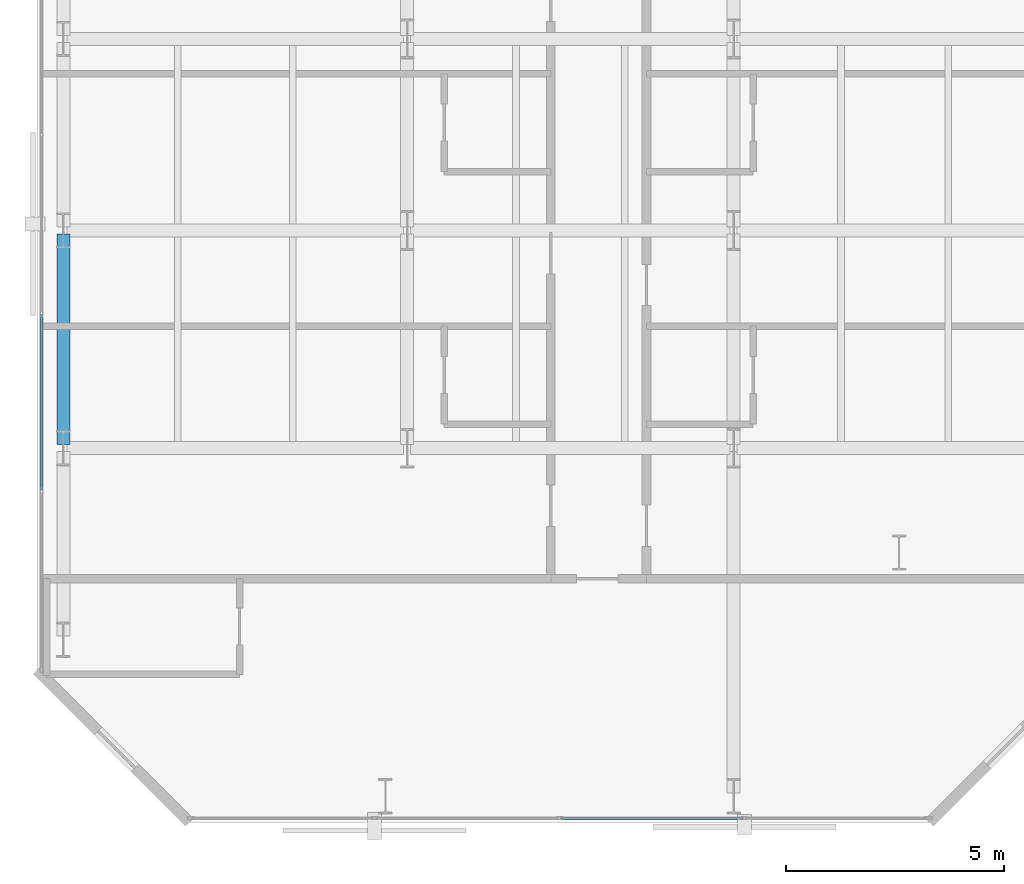
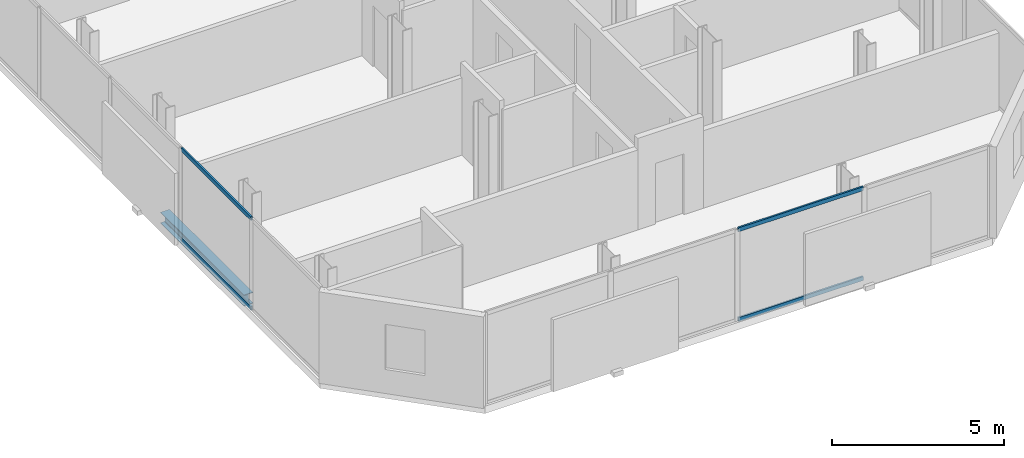
# One storey, part 4 of 33: 4 members, 1 beam, 2 elements without a shape of their own.
"""IFC4 building model written with IfcOpenShell, lengths in metres."""

from ifc_helpers import new_model, si_unit, direction, frame, origin, origin_2d, place, context, subcontext, project, spatial, hollow_rectangle, i_section, extrude, material, layer, layer_set, material_profile, profile_set, type_object, element, aggregate, save


model = new_model("IFC4")

# Units and contexts
model_context = context("Model", 3, precision=1e-05, world=origin(), true_north=direction((0.0, 1.0)))
body_context = subcontext(model_context, "Body", "Model", "MODEL_VIEW")
ifc_project = project(units=[si_unit("LENGTHUNIT", "METRE"), si_unit("AREAUNIT", "SQUARE_METRE"), si_unit("VOLUMEUNIT", "CUBIC_METRE"), si_unit("PLANEANGLEUNIT", "RADIAN"), si_unit("MASSUNIT", "GRAM", prefix="KILO")], contexts=[model_context])

# Site, building, storey
site_placement = place(None, origin())
site = spatial("IfcSite", under=ifc_project, at=site_placement, CompositionType="ELEMENT")
building_placement = place(site_placement, origin())
building = spatial("IfcBuilding", under=site, at=building_placement, Name="Catumbela Crestline Tower", CompositionType="ELEMENT")
storey_placement = place(building_placement, frame((0.0, 0.0, 76.2)))
storey = spatial("IfcBuildingStorey", under=building, at=storey_placement, Name="L19", CompositionType="ELEMENT", Elevation=76.2)

# Beam
ifc_material_1 = material(Name="Structural steel S355J2", Category="steel")
ifc_material_profile_1 = material_profile(ifc_material_1, i_section(OverallWidth=0.3, OverallDepth=0.4, WebThickness=0.0135, FlangeThickness=0.024, FilletRadius=0.027, at=origin_2d()), Name="HEB 400")
ifc_profile_set_1 = profile_set([ifc_material_profile_1], Name="Structural steel S355J2")
beam_type = type_object("IfcBeamType", Name="BS-HEB400", PredefinedType="SPANDREL", material=ifc_profile_set_1)
beam_placement = place(storey_placement, frame((0.6, 8.68, -0.46), z_axis=(0.0, 1.0, 0.0), x_axis=(-1.0, 0.0, 0.0)))
element("IfcBeam", 1, at=beam_placement, inside=storey, type_object=beam_type, Name="L19 Spandrel SP-L19-WNS58", PredefinedType="SPANDREL", context=body_context, shape_type="SweptSolid", body=[
    extrude(i_section(OverallWidth=0.3, OverallDepth=0.4, WebThickness=0.0135, FlangeThickness=0.024, FilletRadius=0.027, at=origin_2d()), origin(), (0.0, 0.0, 1.0), 4.84),
])

# Curtain wall, members
ifc_material_2 = material(Name="Aluminium alloy AW-6060-T66", Category="aluminium")
ifc_layer = layer(ifc_material_2, 0.18, Name="Aluminium alloy AW-6060-T66")
ifc_layer_set = layer_set([ifc_layer], Name="Aluminium alloy AW-6060-T66")
curtain_wall_type = type_object("IfcCurtainWallType", Name="CWU-Z1", PredefinedType="USERDEFINED", material=ifc_layer_set)
curtain_wall_1_placement = place(storey_placement, origin())
curtain_wall_1 = element("IfcCurtainWall", 2, at=curtain_wall_1_placement, inside=storey, type_object=curtain_wall_type, Name="L19 Unitised Curtain Wall CW-L19-E0S1", ObjectType="UNITISED", PredefinedType="USERDEFINED")
ifc_material_profile_2 = material_profile(ifc_material_2, hollow_rectangle(XDim=0.06, YDim=0.14, WallThickness=0.004, at=origin_2d()), Name="ALU 140x60x4")
ifc_profile_set_2 = profile_set([ifc_material_profile_2], Name="Aluminium alloy AW-6060-T66")
member_type = type_object("IfcMemberType", Name="TRN-140X60", PredefinedType="USERDEFINED", material=ifc_profile_set_2)
member_1_placement = place(storey_placement, frame((12.0325, 0.1, 0.03), z_axis=(1.0, 0.0, 0.0), x_axis=(0.0, 1.0, 0.0)))
member_1 = element("IfcMember", 3, at=member_1_placement, type_object=member_type, Name="CWU-Z1 transom 3.1", ObjectType="TRANSOM", PredefinedType="USERDEFINED", context=body_context, shape_type="SweptSolid", body=[
    extrude(hollow_rectangle(XDim=0.06, YDim=0.14, WallThickness=0.004, at=origin_2d()), origin(), (0.0, 0.0, 1.0), 4.185),
])
member_2_placement = place(storey_placement, frame((12.0325, 0.1, 3.21), z_axis=(1.0, 0.0, 0.0), x_axis=(0.0, 1.0, 0.0)))
member_2 = element("IfcMember", 4, at=member_2_placement, type_object=member_type, Name="CWU-Z1 transom 3.2", ObjectType="TRANSOM", PredefinedType="USERDEFINED", context=body_context, shape_type="SweptSolid", body=[
    extrude(hollow_rectangle(XDim=0.06, YDim=0.14, WallThickness=0.004, at=origin_2d()), origin(), (0.0, 0.0, 1.0), 4.185),
])
aggregate(curtain_wall_1, [member_1, member_2])

curtain_wall_2_placement = place(storey_placement, origin())
curtain_wall_2 = element("IfcCurtainWall", 5, at=curtain_wall_2_placement, inside=storey, type_object=curtain_wall_type, Name="L19 Unitised Curtain Wall CW-L19-E9S1", ObjectType="UNITISED", PredefinedType="USERDEFINED")
member_3_placement = place(storey_placement, frame((0.1, 11.6675, 0.03), z_axis=(0.0, -1.0, 0.0), x_axis=(1.0, 0.0, 0.0)))
member_3 = element("IfcMember", 6, at=member_3_placement, type_object=member_type, Name="CWU-Z1 transom 9.1", ObjectType="TRANSOM", PredefinedType="USERDEFINED", context=body_context, shape_type="SweptSolid", body=[
    extrude(hollow_rectangle(XDim=0.06, YDim=0.14, WallThickness=0.004, at=origin_2d()), origin(), (0.0, 0.0, 1.0), 4.035),
])
member_4_placement = place(storey_placement, frame((0.1, 11.6675, 3.21), z_axis=(0.0, -1.0, 0.0), x_axis=(1.0, 0.0, 0.0)))
member_4 = element("IfcMember", 7, at=member_4_placement, type_object=member_type, Name="CWU-Z1 transom 9.2", ObjectType="TRANSOM", PredefinedType="USERDEFINED", context=body_context, shape_type="SweptSolid", body=[
    extrude(hollow_rectangle(XDim=0.06, YDim=0.14, WallThickness=0.004, at=origin_2d()), origin(), (0.0, 0.0, 1.0), 4.035),
])
aggregate(curtain_wall_2, [member_3, member_4])

save(model, "model.ifc")
